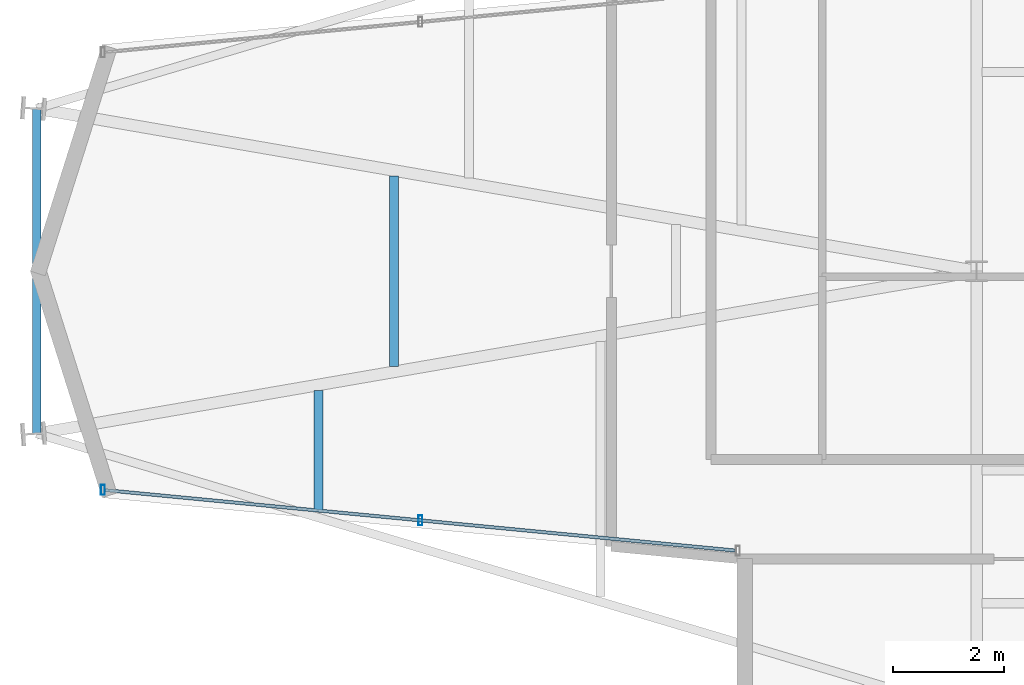
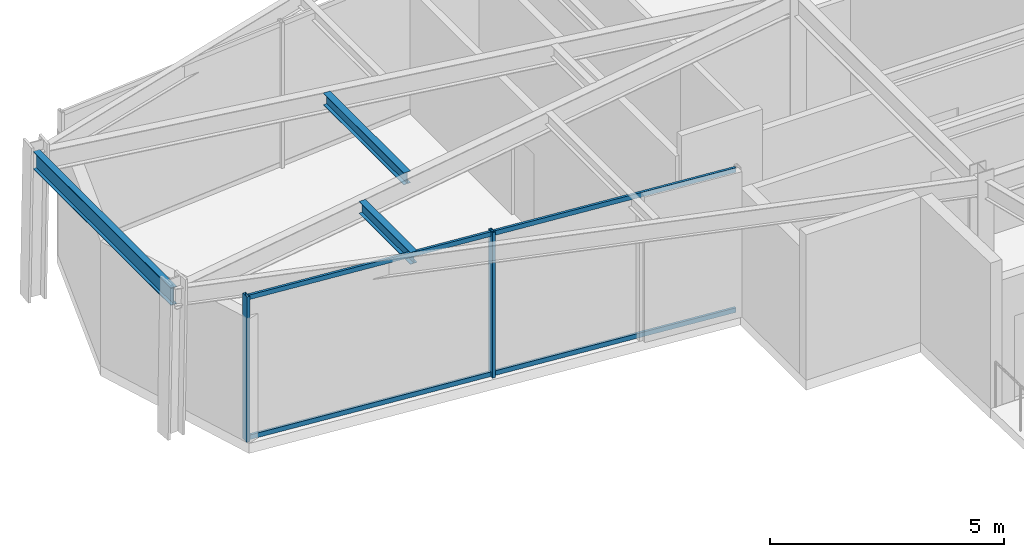
# One storey, part 2 of 18: 4 members, 3 beams, 1 element without a shape of its own.
"""IFC4 building model written with IfcOpenShell, lengths in metres."""

import ifcopenshell
import ifcopenshell.guid

model = None  # the IFC model being written
_history = None  # IfcOwnerHistory: only IFC2X3 demands one
_inside = {}  # id of a spatial element -> (the spatial element, [elements in it])
_under = {}  # id of a project, library or spatial element -> (it, [spatial elements below it])
_declared = {}  # id of a project -> (the project, [libraries it declares])
_typed = {}  # id of a type object -> (the type object, [elements of that type])
_made_of = {}  # id of a material, layer set ... -> (it, [elements and type objects made of it])


def new_model(schema):
    """Start an empty IFC model of exactly this schema.

    Asked for "IFC4X3", IfcOpenShell would pick the latest addendum, in which some entities
    have other attributes; the version numbers below select the first issue.
    IFC2X3 requires an IfcOwnerHistory on every rooted entity: one is made here for all.
    """
    global model, _history
    if schema == "IFC4X3":
        model = ifcopenshell.file(schema_version=(4, 3, 0, 0))
    else:
        model = ifcopenshell.file(schema=schema)
    _inside.clear()
    _under.clear()
    _declared.clear()
    _typed.clear()
    _made_of.clear()
    _history = None
    if model.schema == "IFC2X3":
        org = make("IfcOrganization", Name="unknown")
        user = make(
            "IfcPersonAndOrganization",
            ThePerson=make("IfcPerson", FamilyName="unknown"),
            TheOrganization=org,
        )
        app = make(
            "IfcApplication",
            ApplicationDeveloper=org,
            Version="unknown",
            ApplicationFullName="unknown",
            ApplicationIdentifier="unknown",
        )
        _history = make(
            "IfcOwnerHistory",
            OwningUser=user,
            OwningApplication=app,
            ChangeAction="ADDED",
            CreationDate=0,
        )
    return model


def make(cls, **values):
    """One entity of the class cls with the attributes given. An attribute that is None is left unset."""
    return model.create_entity(
        cls, **{name: value for name, value in values.items() if value is not None}
    )


def rooted(cls, **values):
    """An entity with a GlobalId (a new one), such as an element, a storey or a relation."""
    return make(cls, GlobalId=ifcopenshell.guid.new(), OwnerHistory=_history, **values)


def si_unit(unit_type, name, prefix=None):
    """IfcSIUnit, for example si_unit("LENGTHUNIT", "METRE", prefix="MILLI")."""
    return make("IfcSIUnit", UnitType=unit_type, Prefix=prefix, Name=name)


def assignment(units):
    """IfcUnitAssignment: the units of a project."""
    return None if units is None else make("IfcUnitAssignment", Units=units)


def point(xyz):
    """IfcCartesianPoint."""
    return None if xyz is None else make("IfcCartesianPoint", Coordinates=xyz)


def direction(xyz):
    """IfcDirection."""
    return None if xyz is None else make("IfcDirection", DirectionRatios=xyz)


def frame(location, z_axis=None, x_axis=None):
    """IfcAxis2Placement3D, a coordinate frame: its origin and axes. An axis left out is left unset."""
    return make(
        "IfcAxis2Placement3D",
        Location=point(location),
        Axis=direction(z_axis),
        RefDirection=direction(x_axis),
    )


def frame_2d(location, x_axis=None):
    """IfcAxis2Placement2D, a coordinate frame in the plane: its origin and x axis."""
    return make(
        "IfcAxis2Placement2D", Location=point(location), RefDirection=direction(x_axis)
    )


def origin():
    """The frame at (0, 0, 0) with its axes left unset."""
    return frame((0.0, 0.0, 0.0))


def origin_2d():
    """The frame at (0, 0) in the plane with its x axis left unset."""
    return frame_2d((0.0, 0.0))


def place(relative_to, where):
    """IfcLocalPlacement: puts the frame where relative to a parent placement (None: the world)."""
    return make(
        "IfcLocalPlacement", PlacementRelTo=relative_to, RelativePlacement=where
    )


def context(
    kind, dimensions, precision=None, world=None, true_north=None, identifier=None
):
    """IfcGeometricRepresentationContext, for example the 3D "Model" context."""
    return make(
        "IfcGeometricRepresentationContext",
        ContextIdentifier=identifier,
        ContextType=kind,
        CoordinateSpaceDimension=dimensions,
        Precision=precision,
        WorldCoordinateSystem=world,
        TrueNorth=true_north,
    )


def subcontext(parent, identifier, kind, view, scale=None):
    """IfcGeometricRepresentationSubContext, for example "Body" below "Model"."""
    return make(
        "IfcGeometricRepresentationSubContext",
        ContextIdentifier=identifier,
        ContextType=kind,
        ParentContext=parent,
        TargetScale=scale,
        TargetView=view,
    )


def project(units=None, contexts=None):
    """IfcProject with its units and contexts."""
    return rooted(
        "IfcProject",
        Name="project",
        RepresentationContexts=contexts,
        UnitsInContext=assignment(units),
    )


def spatial(cls, under=None, at=None, **own):
    """A site, building, storey or space (cls), placed at a placement, below another one or the project."""
    s = rooted(cls, ObjectPlacement=at, **own)
    if under is not None:
        _under.setdefault(under.id(), (under, []))[1].append(s)
    return s


def profile(cls, at=None, kind="AREA", **sizes):
    """A parametric profile (cls). Its sizes go by their IFC names, for example OverallWidth=200.0."""
    return make(cls, ProfileType=kind, Position=at, **sizes)


def hollow_rectangle(**sizes):
    """IfcRectangleHollowProfileDef."""
    return profile("IfcRectangleHollowProfileDef", **sizes)


def i_section(**sizes):
    """IfcIShapeProfileDef."""
    return profile("IfcIShapeProfileDef", **sizes)


def extrude(swept, where, along, depth):
    """IfcExtrudedAreaSolid: the profile swept, set in the frame where, extruded along a direction by depth."""
    return make(
        "IfcExtrudedAreaSolid",
        SweptArea=swept,
        Position=where,
        ExtrudedDirection=direction(along),
        Depth=depth,
    )


def shape(context_of_items, identifier, shape_type, items):
    """IfcShapeRepresentation: the items that make up one representation, for example the "Body"."""
    return make(
        "IfcShapeRepresentation",
        ContextOfItems=context_of_items,
        RepresentationIdentifier=identifier,
        RepresentationType=shape_type,
        Items=items,
    )


def material(Name=None, Category=None):
    """IfcMaterial."""
    return make("IfcMaterial", Name=Name, Category=Category)


def layer(
    of_material, thickness, ventilated=None, Name=None, Category=None, Priority=None
):
    """IfcMaterialLayer: one layer of a wall or slab, of a material (None: an air gap)."""
    return make(
        "IfcMaterialLayer",
        Material=of_material,
        LayerThickness=thickness,
        IsVentilated=ventilated,
        Name=Name,
        Category=Category,
        Priority=Priority,
    )


def layer_set(layers, Name=None):
    """IfcMaterialLayerSet."""
    return make("IfcMaterialLayerSet", MaterialLayers=layers, LayerSetName=Name)


def material_profile(
    of_material, cross_section, Name=None, Category=None, Priority=None
):
    """IfcMaterialProfile: a cross section and its material."""
    return make(
        "IfcMaterialProfile",
        Name=Name,
        Material=of_material,
        Profile=cross_section,
        Priority=Priority,
        Category=Category,
    )


def profile_set(profiles, Name=None, composite=None):
    """IfcMaterialProfileSet."""
    return make(
        "IfcMaterialProfileSet",
        Name=Name,
        MaterialProfiles=profiles,
        CompositeProfile=composite,
    )


def made_of(thing, what):
    """Note that an element or type object is made of a material, layer set ...; save() writes the relation."""
    if what is not None:
        _made_of.setdefault(what.id(), (what, []))[1].append(thing)
    return thing


def type_object(cls, material=None, **own):
    """A type object (cls), such as IfcWallType, which elements share."""
    return made_of(rooted(cls, **own), material)


def element(
    cls,
    number,
    at=None,
    inside=None,
    cuts=None,
    type_object=None,
    material=None,
    context=None,
    identifier="Body",
    shape_type=None,
    held_by="IfcProductDefinitionShape",
    body=None,
    shapes=None,
    **own,
):
    """One element of the class cls, such as IfcWall. Its Tag is "e" and its number.

    at: its placement. inside: the storey or other place that contains it. cuts: it is an
    opening in that element (IfcRelVoidsElement). A single representation is given by context,
    identifier, shape_type and body (its items); several are given by shapes. held_by: the class
    of the entity that holds the representations. save() writes the other relations.
    """
    e = rooted(cls, Tag="e%d" % number, ObjectPlacement=at, **own)
    if body is not None:
        shapes = [shape(context, identifier, shape_type, body)]
    if shapes is not None:
        e.Representation = make(held_by, Representations=shapes)
    if inside is not None:
        _inside.setdefault(inside.id(), (inside, []))[1].append(e)
    if cuts is not None:
        rooted(
            "IfcRelVoidsElement", RelatingBuildingElement=cuts, RelatedOpeningElement=e
        )
    if type_object is not None:
        _typed.setdefault(type_object.id(), (type_object, []))[1].append(e)
    return made_of(e, material)


def aggregate(whole, parts):
    """IfcRelAggregates: a whole, such as a stair, and the parts it consists of."""
    return rooted("IfcRelAggregates", RelatingObject=whole, RelatedObjects=parts)


def save(model, path):
    """Write the relations noted so far, then the file.

    IfcRelAggregates (storeys below a building ...), IfcRelContainedInSpatialStructure (elements
    in a storey), IfcRelDefinesByType, IfcRelAssociatesMaterial and IfcRelDeclares: one each for
    every whole, place, type object, material and project.
    """
    for whole, parts in _under.values():
        aggregate(whole, parts)
    for where, things in _inside.values():
        rooted(
            "IfcRelContainedInSpatialStructure",
            RelatedElements=things,
            RelatingStructure=where,
        )
    for kind, things in _typed.values():
        rooted("IfcRelDefinesByType", RelatedObjects=things, RelatingType=kind)
    for what, things in _made_of.values():
        rooted("IfcRelAssociatesMaterial", RelatedObjects=things, RelatingMaterial=what)
    for by, libraries in _declared.values():
        rooted("IfcRelDeclares", RelatingContext=by, RelatedDefinitions=libraries)
    model.write(path)


model = new_model("IFC4")

# Units and contexts
model_context = context("Model", 3, precision=1e-05, world=origin(), true_north=direction((0.0, 1.0)))
body_context = subcontext(model_context, "Body", "Model", "MODEL_VIEW")
ifc_project = project(units=[si_unit("LENGTHUNIT", "METRE"), si_unit("AREAUNIT", "SQUARE_METRE"), si_unit("VOLUMEUNIT", "CUBIC_METRE"), si_unit("PLANEANGLEUNIT", "RADIAN"), si_unit("MASSUNIT", "GRAM", prefix="KILO")], contexts=[model_context])

# Site, building, storey
site_placement = place(None, origin())
site = spatial("IfcSite", under=ifc_project, at=site_placement, CompositionType="ELEMENT")
building_placement = place(site_placement, origin())
building = spatial("IfcBuilding", under=site, at=building_placement, Name="Veymaron Broadcast Tower", CompositionType="ELEMENT")
storey_placement = place(building_placement, frame((0.0, 0.0, 236.39990234375)))
storey = spatial("IfcBuildingStorey", under=building, at=storey_placement, Name="L55", CompositionType="ELEMENT", Elevation=236.39990234375)

# Beams
ifc_material_1 = material(Name="Structural steel ASTM A992 Gr 50", Category="steel")
ifc_material_profile_1 = material_profile(ifc_material_1, i_section(OverallWidth=0.1650390625, OverallDepth=0.31005859375, WebThickness=0.005859375, FlangeThickness=0.009765625, at=origin_2d()), Name="W310X39")
ifc_profile_set_1 = profile_set([ifc_material_profile_1], Name="Structural steel ASTM A992 Gr 50")
beam_type_1 = type_object("IfcBeamType", Name="BM-JS3", PredefinedType="JOIST", material=ifc_profile_set_1)
beam_1_placement = place(storey_placement, frame((19.31201171875, 19.6455078125, 3.635009765625), z_axis=(0.0, 1.0, 0.0), x_axis=(-1.0, 0.0, 0.0)))
element("IfcBeam", 1, at=beam_1_placement, inside=storey, type_object=beam_type_1, Name="L55 Arm-A secondary joist 1S", PredefinedType="JOIST", context=body_context, shape_type="SweptSolid", body=[
    extrude(i_section(OverallWidth=0.1650390625, OverallDepth=0.31005859375, WebThickness=0.005859375, FlangeThickness=0.009765625, at=origin_2d()), origin(), (0.0, 0.0, 1.0), 2.199951171875),
])
beam_2_placement = place(storey_placement, frame((20.67041015625, 22.2802734375, 3.635009765625), z_axis=(0.0, 1.0, 0.0), x_axis=(-1.0, 0.0, 0.0)))
element("IfcBeam", 2, at=beam_2_placement, inside=storey, type_object=beam_type_1, Name="L55 Arm-A secondary joist 1M", PredefinedType="JOIST", context=body_context, shape_type="SweptSolid", body=[
    extrude(i_section(OverallWidth=0.1650390625, OverallDepth=0.31005859375, WebThickness=0.005859375, FlangeThickness=0.009765625, at=origin_2d()), origin(), (0.0, 0.0, 1.0), 3.439453125),
])
ifc_material_profile_2 = material_profile(ifc_material_1, i_section(OverallWidth=0.154052734375, OverallDepth=0.458984375, WebThickness=0.009033203125, FlangeThickness=0.015380859375, at=origin_2d()), Name="W460X68")
ifc_profile_set_2 = profile_set([ifc_material_profile_2], Name="Structural steel ASTM A992 Gr 50")
beam_type_2 = type_object("IfcBeamType", Name="BM-SP2", PredefinedType="SPANDREL", material=ifc_profile_set_2)
beam_3_placement = place(storey_placement, frame((14.217041015625, 21.06494140625, 3.560546875), z_axis=(0.0, 1.0, 0.0), x_axis=(-1.0, 0.0, 0.0)))
element("IfcBeam", 3, at=beam_3_placement, inside=storey, type_object=beam_type_2, Name="L55 primary structural floor girder", PredefinedType="SPANDREL", context=body_context, shape_type="SweptSolid", body=[
    extrude(i_section(OverallWidth=0.154052734375, OverallDepth=0.458984375, WebThickness=0.009033203125, FlangeThickness=0.015380859375, at=origin_2d()), origin(), (0.0, 0.0, 1.0), 5.8701171875),
])

# Curtain wall, members
ifc_material_2 = material(Name="Anodised aluminium AA 6063-T6 and laminated low-E dark glass", Category="aluminium")
ifc_layer = layer(ifc_material_2, 0.179931640625)
ifc_layer_set = layer_set([ifc_layer], Name="Anodised aluminium AA 6063-T6 and laminated low-E dark glass")
curtain_wall_type = type_object("IfcCurtainWallType", Name="CW-SYS-05", PredefinedType="NOTDEFINED", material=ifc_layer_set)
curtain_wall_placement = place(storey_placement, origin())
curtain_wall = element("IfcCurtainWall", 4, at=curtain_wall_placement, inside=storey, type_object=curtain_wall_type, Name="L55 dark-glass curtain wall CW-L55-E16-1", PredefinedType="NOTDEFINED")
ifc_material_3 = material(Name="Anodised aluminium AA 6063-T6", Category="aluminium")
ifc_material_profile_3 = material_profile(ifc_material_3, hollow_rectangle(XDim=0.074951171875, YDim=0.179931640625, WallThickness=0.0048828125, at=origin_2d()), Name="AL180X75X5")
ifc_profile_set_3 = profile_set([ifc_material_profile_3], Name="Anodised aluminium AA 6063-T6")
member_type_1 = type_object("IfcMemberType", Name="CW-MUL-02", PredefinedType="MULLION", material=ifc_profile_set_3)
member_1_placement = place(storey_placement, frame((15.413330078125, 20.047607421875, 0.0), z_axis=(0.0, 0.0, 1.0), x_axis=(1.0, 0.0, 0.0)))
member_1 = element("IfcMember", 5, at=member_1_placement, type_object=member_type_1, Name="CW-L55-E16-1 mullion 0", PredefinedType="MULLION", context=body_context, shape_type="SweptSolid", body=[
    extrude(hollow_rectangle(XDim=0.074951171875, YDim=0.179931640625, WallThickness=0.0048828125, at=origin_2d()), origin(), (0.0, 0.0, 1.0), 3.7900390625),
])
member_2_placement = place(storey_placement, frame((21.1494140625, 19.49755859375, 0.0), z_axis=(0.0, 0.0, 1.0), x_axis=(1.0, 0.0, 0.0)))
member_2 = element("IfcMember", 6, at=member_2_placement, type_object=member_type_1, Name="CW-L55-E16-1 mullion 1", PredefinedType="MULLION", context=body_context, shape_type="SweptSolid", body=[
    extrude(hollow_rectangle(XDim=0.074951171875, YDim=0.179931640625, WallThickness=0.0048828125, at=origin_2d()), origin(), (0.0, 0.0, 1.0), 3.7900390625),
])
ifc_material_profile_4 = material_profile(ifc_material_3, hollow_rectangle(XDim=0.06005859375, YDim=0.1201171875, WallThickness=0.00390625, at=origin_2d()), Name="AL120X60X4")
ifc_profile_set_4 = profile_set([ifc_material_profile_4], Name="Anodised aluminium AA 6063-T6")
member_type_2 = type_object("IfcMemberType", Name="CW-TRN-02", PredefinedType="USERDEFINED", material=ifc_profile_set_4)
member_3_placement = place(storey_placement, frame((15.463134765625, 20.04296875, 0.070068359375), z_axis=(0.995431475206, -0.09547867913, 0.0), x_axis=(0.09547867913, 0.995431475206, 0.0)))
member_3 = element("IfcMember", 7, at=member_3_placement, type_object=member_type_2, Name="CW-L55-E16-1 transom B", ObjectType="TRANSOM", PredefinedType="USERDEFINED", context=body_context, shape_type="SweptSolid", body=[
    extrude(hollow_rectangle(XDim=0.06005859375, YDim=0.1201171875, WallThickness=0.00390625, at=origin_2d()), origin(), (0.0, 0.0, 1.0), 11.4248046875),
])
member_4_placement = place(storey_placement, frame((15.463134765625, 20.04296875, 3.72021484375), z_axis=(0.995431475206, -0.09547867913, 0.0), x_axis=(0.09547867913, 0.995431475206, 0.0)))
member_4 = element("IfcMember", 8, at=member_4_placement, type_object=member_type_2, Name="CW-L55-E16-1 transom T", ObjectType="TRANSOM", PredefinedType="USERDEFINED", context=body_context, shape_type="SweptSolid", body=[
    extrude(hollow_rectangle(XDim=0.06005859375, YDim=0.1201171875, WallThickness=0.00390625, at=origin_2d()), origin(), (0.0, 0.0, 1.0), 11.4248046875),
])
aggregate(curtain_wall, [member_1, member_2, member_3, member_4])

save(model, "model.ifc")
